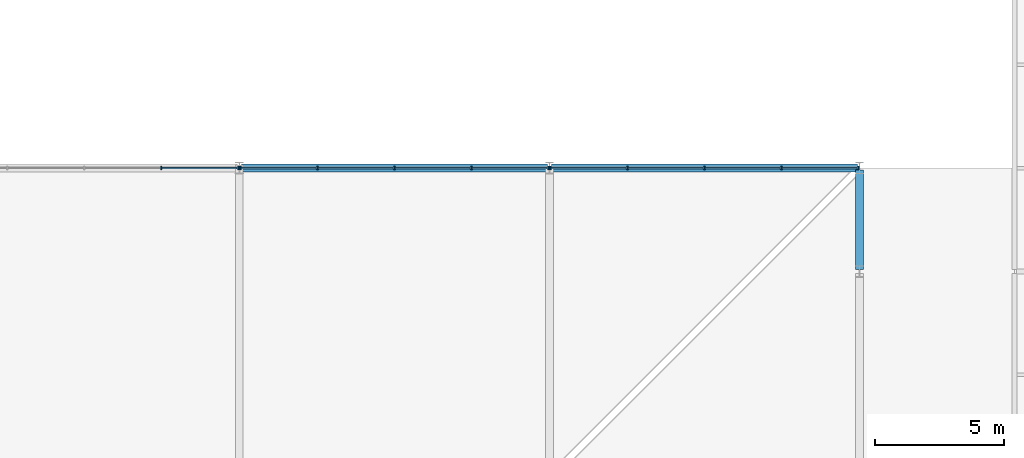
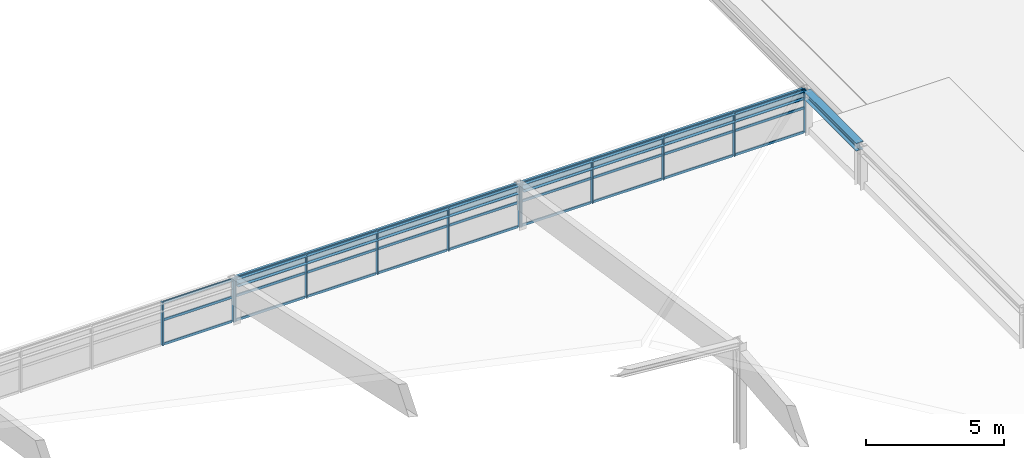
# One storey, part 72 of 80: 39 members, 3 beams, 3 elements without a shape of their own.
"""IFC4 building model written with IfcOpenShell, lengths in metres."""

from ifc_helpers import new_model, si_unit, direction, frame, origin, origin_2d, place, context, subcontext, project, spatial, rectangle, i_section, extrude, material, material_profile, profile_set, type_object, element, aggregate, save


model = new_model("IFC4")

# Units and contexts
model_context = context("Model", 3, precision=1e-05, world=origin(), true_north=direction((0.0, 1.0)))
body_context = subcontext(model_context, "Body", "Model", "MODEL_VIEW")
ifc_project = project(units=[si_unit("LENGTHUNIT", "METRE"), si_unit("AREAUNIT", "SQUARE_METRE"), si_unit("VOLUMEUNIT", "CUBIC_METRE"), si_unit("PLANEANGLEUNIT", "RADIAN"), si_unit("MASSUNIT", "GRAM", prefix="KILO"), si_unit("THERMODYNAMICTEMPERATUREUNIT", "KELVIN"), si_unit("POWERUNIT", "WATT")], contexts=[model_context])

# Site, building, storey
site_placement = place(None, origin())
site = spatial("IfcSite", under=ifc_project, at=site_placement, CompositionType="ELEMENT")
building_placement = place(site_placement, origin())
building = spatial("IfcBuilding", under=site, at=building_placement, Name="Solmara Park Aquatics Centre", CompositionType="ELEMENT")
storey_placement = place(building_placement, frame((0.0, 0.0, 22.800048828125)))
storey = spatial("IfcBuildingStorey", under=building, at=storey_placement, Name="RF", CompositionType="ELEMENT", Elevation=22.800048828125)

# Curtain wall, members
ifc_material_1 = material(Name="Anodised Aluminium Curtain Wall Framing", Category="aluminium")
curtain_wall_type = type_object("IfcCurtainWallType", Name="ARC-CW-SYS06", PredefinedType="USERDEFINED", material=ifc_material_1)
curtain_wall_1_placement = place(storey_placement, origin())
curtain_wall_1 = element("IfcCurtainWall", 1, at=curtain_wall_1_placement, inside=storey, type_object=curtain_wall_type, Name="Curtain Wall CW-086", ObjectType="CURTAIN WALL", PredefinedType="USERDEFINED")
ifc_material_2 = material(Name="Anodised Aluminium Alloy 6063-T6", Category="aluminium")
ifc_material_profile_1 = material_profile(ifc_material_2, rectangle(XDim=0.054931640625, YDim=0.139892578125, at=origin_2d()), Name="ALU MULLION 55x140")
ifc_profile_set_1 = profile_set([ifc_material_profile_1], Name="Anodised Aluminium Alloy 6063-T6")
member_type_1 = type_object("IfcMemberType", Name="ARC-CWM-55x140", PredefinedType="MULLION", material=ifc_profile_set_1)
member_1_placement = place(storey_placement, frame((128.97998046875, 52.60009765625, -8.400146484375), z_axis=(0.0, 0.0, 1.0), x_axis=(1.0, 0.0, 0.0)))
member_1 = element("IfcMember", 2, at=member_1_placement, type_object=member_type_1, Name="CW-086 mullion 4", PredefinedType="MULLION", context=body_context, shape_type="SweptSolid", body=[
    extrude(rectangle(XDim=0.054931640625, YDim=0.139892578125, at=origin_2d()), origin(), (0.0, 0.0, 1.0), 1.920166015625),
])
member_2_placement = place(storey_placement, frame((131.9599609375, 52.60009765625, -8.400146484375), z_axis=(0.0, 0.0, 1.0), x_axis=(1.0, 0.0, 0.0)))
member_2 = element("IfcMember", 3, at=member_2_placement, type_object=member_type_1, Name="CW-086 mullion 5", PredefinedType="MULLION", context=body_context, shape_type="SweptSolid", body=[
    extrude(rectangle(XDim=0.054931640625, YDim=0.139892578125, at=origin_2d()), origin(), (0.0, 0.0, 1.0), 1.920166015625),
])

curtain_wall_2_placement = place(storey_placement, origin())
curtain_wall_2 = element("IfcCurtainWall", 4, at=curtain_wall_2_placement, inside=storey, type_object=curtain_wall_type, Name="Curtain Wall CW-088", ObjectType="CURTAIN WALL", PredefinedType="USERDEFINED")
member_3_placement = place(storey_placement, frame((132.0400390625, 52.60009765625, -8.400146484375), z_axis=(0.0, 0.0, 1.0), x_axis=(1.0, 0.0, 0.0)))
member_3 = element("IfcMember", 5, at=member_3_placement, type_object=member_type_1, Name="CW-088 mullion 1", PredefinedType="MULLION", context=body_context, shape_type="SweptSolid", body=[
    extrude(rectangle(XDim=0.054931640625, YDim=0.139892578125, at=origin_2d()), origin(), (0.0, 0.0, 1.0), 1.920166015625),
])
member_4_placement = place(storey_placement, frame((135.02001953125, 52.60009765625, -8.400146484375), z_axis=(0.0, 0.0, 1.0), x_axis=(1.0, 0.0, 0.0)))
member_4 = element("IfcMember", 6, at=member_4_placement, type_object=member_type_1, Name="CW-088 mullion 2", PredefinedType="MULLION", context=body_context, shape_type="SweptSolid", body=[
    extrude(rectangle(XDim=0.054931640625, YDim=0.139892578125, at=origin_2d()), origin(), (0.0, 0.0, 1.0), 1.920166015625),
])
member_5_placement = place(storey_placement, frame((138.0, 52.60009765625, -8.400146484375), z_axis=(0.0, 0.0, 1.0), x_axis=(1.0, 0.0, 0.0)))
member_5 = element("IfcMember", 7, at=member_5_placement, type_object=member_type_1, Name="CW-088 mullion 3", PredefinedType="MULLION", context=body_context, shape_type="SweptSolid", body=[
    extrude(rectangle(XDim=0.054931640625, YDim=0.139892578125, at=origin_2d()), origin(), (0.0, 0.0, 1.0), 1.920166015625),
])
member_6_placement = place(storey_placement, frame((140.97998046875, 52.60009765625, -8.400146484375), z_axis=(0.0, 0.0, 1.0), x_axis=(1.0, 0.0, 0.0)))
member_6 = element("IfcMember", 8, at=member_6_placement, type_object=member_type_1, Name="CW-088 mullion 4", PredefinedType="MULLION", context=body_context, shape_type="SweptSolid", body=[
    extrude(rectangle(XDim=0.054931640625, YDim=0.139892578125, at=origin_2d()), origin(), (0.0, 0.0, 1.0), 1.920166015625),
])
member_7_placement = place(storey_placement, frame((143.9599609375, 52.60009765625, -8.400146484375), z_axis=(0.0, 0.0, 1.0), x_axis=(1.0, 0.0, 0.0)))
member_7 = element("IfcMember", 9, at=member_7_placement, type_object=member_type_1, Name="CW-088 mullion 5", PredefinedType="MULLION", context=body_context, shape_type="SweptSolid", body=[
    extrude(rectangle(XDim=0.054931640625, YDim=0.139892578125, at=origin_2d()), origin(), (0.0, 0.0, 1.0), 1.920166015625),
])

curtain_wall_3_placement = place(storey_placement, origin())
curtain_wall_3 = element("IfcCurtainWall", 10, at=curtain_wall_3_placement, inside=storey, type_object=curtain_wall_type, Name="Curtain Wall CW-090", ObjectType="CURTAIN WALL", PredefinedType="USERDEFINED")
member_8_placement = place(storey_placement, frame((144.0400390625, 52.60009765625, -8.400146484375), z_axis=(0.0, 0.0, 1.0), x_axis=(1.0, 0.0, 0.0)))
member_8 = element("IfcMember", 11, at=member_8_placement, type_object=member_type_1, Name="CW-090 mullion 1", PredefinedType="MULLION", context=body_context, shape_type="SweptSolid", body=[
    extrude(rectangle(XDim=0.054931640625, YDim=0.139892578125, at=origin_2d()), origin(), (0.0, 0.0, 1.0), 1.920166015625),
])
member_9_placement = place(storey_placement, frame((147.02001953125, 52.60009765625, -8.400146484375), z_axis=(0.0, 0.0, 1.0), x_axis=(1.0, 0.0, 0.0)))
member_9 = element("IfcMember", 12, at=member_9_placement, type_object=member_type_1, Name="CW-090 mullion 2", PredefinedType="MULLION", context=body_context, shape_type="SweptSolid", body=[
    extrude(rectangle(XDim=0.054931640625, YDim=0.139892578125, at=origin_2d()), origin(), (0.0, 0.0, 1.0), 1.920166015625),
])
member_10_placement = place(storey_placement, frame((150.0, 52.60009765625, -8.400146484375), z_axis=(0.0, 0.0, 1.0), x_axis=(1.0, 0.0, 0.0)))
member_10 = element("IfcMember", 13, at=member_10_placement, type_object=member_type_1, Name="CW-090 mullion 3", PredefinedType="MULLION", context=body_context, shape_type="SweptSolid", body=[
    extrude(rectangle(XDim=0.054931640625, YDim=0.139892578125, at=origin_2d()), origin(), (0.0, 0.0, 1.0), 1.920166015625),
])
member_11_placement = place(storey_placement, frame((152.97998046875, 52.60009765625, -8.400146484375), z_axis=(0.0, 0.0, 1.0), x_axis=(1.0, 0.0, 0.0)))
member_11 = element("IfcMember", 14, at=member_11_placement, type_object=member_type_1, Name="CW-090 mullion 4", PredefinedType="MULLION", context=body_context, shape_type="SweptSolid", body=[
    extrude(rectangle(XDim=0.054931640625, YDim=0.139892578125, at=origin_2d()), origin(), (0.0, 0.0, 1.0), 1.920166015625),
])
member_12_placement = place(storey_placement, frame((155.9599609375, 52.60009765625, -8.400146484375), z_axis=(0.0, 0.0, 1.0), x_axis=(1.0, 0.0, 0.0)))
member_12 = element("IfcMember", 15, at=member_12_placement, type_object=member_type_1, Name="CW-090 mullion 5", PredefinedType="MULLION", context=body_context, shape_type="SweptSolid", body=[
    extrude(rectangle(XDim=0.054931640625, YDim=0.139892578125, at=origin_2d()), origin(), (0.0, 0.0, 1.0), 1.920166015625),
])

# Member
ifc_material_profile_2 = material_profile(ifc_material_2, rectangle(XDim=0.054931640625, YDim=0.110107421875, at=origin_2d()), Name="ALU TRANSOM 55x110")
ifc_profile_set_2 = profile_set([ifc_material_profile_2], Name="Anodised Aluminium Alloy 6063-T6")
member_type_2 = type_object("IfcMemberType", Name="ARC-CWT-55x110", PredefinedType="USERDEFINED", material=ifc_profile_set_2)
member_13_placement = place(storey_placement, frame((129.0, 52.60009765625, -8.360107421875), z_axis=(1.0, 0.0, 0.0), x_axis=(0.0, 1.0, 0.0)))
member_13 = element("IfcMember", 16, at=member_13_placement, type_object=member_type_2, Name="CW-086 transom 10", ObjectType="TRANSOM", PredefinedType="USERDEFINED", context=body_context, shape_type="SweptSolid", body=[
    extrude(rectangle(XDim=0.054931640625, YDim=0.110107421875, at=origin_2d()), origin(), (0.0, 0.0, 1.0), 2.89990234375),
])

member_14_placement = place(storey_placement, frame((129.0, 52.60009765625, -7.286376953125), z_axis=(1.0, 0.0, 0.0), x_axis=(0.0, 1.0, 0.0)))
member_14 = element("IfcMember", 17, at=member_14_placement, type_object=member_type_2, Name="CW-086 transom 11", ObjectType="TRANSOM", PredefinedType="USERDEFINED", context=body_context, shape_type="SweptSolid", body=[
    extrude(rectangle(XDim=0.054931640625, YDim=0.110107421875, at=origin_2d()), origin(), (0.0, 0.0, 1.0), 2.89990234375),
])

member_15_placement = place(storey_placement, frame((129.0, 52.60009765625, -6.52001953125), z_axis=(1.0, 0.0, 0.0), x_axis=(0.0, 1.0, 0.0)))
member_15 = element("IfcMember", 18, at=member_15_placement, type_object=member_type_2, Name="CW-086 transom 12", ObjectType="TRANSOM", PredefinedType="USERDEFINED", context=body_context, shape_type="SweptSolid", body=[
    extrude(rectangle(XDim=0.054931640625, YDim=0.110107421875, at=origin_2d()), origin(), (0.0, 0.0, 1.0), 2.89990234375),
])

aggregate(curtain_wall_1, [member_1, member_2, member_13, member_14, member_15])

member_16_placement = place(storey_placement, frame((132.06005859375, 52.60009765625, -8.360107421875), z_axis=(1.0, 0.0, 0.0), x_axis=(0.0, 1.0, 0.0)))
member_16 = element("IfcMember", 19, at=member_16_placement, type_object=member_type_2, Name="CW-088 transom 1", ObjectType="TRANSOM", PredefinedType="USERDEFINED", context=body_context, shape_type="SweptSolid", body=[
    extrude(rectangle(XDim=0.054931640625, YDim=0.110107421875, at=origin_2d()), origin(), (0.0, 0.0, 1.0), 2.89990234375),
])

member_17_placement = place(storey_placement, frame((132.06005859375, 52.60009765625, -7.286376953125), z_axis=(1.0, 0.0, 0.0), x_axis=(0.0, 1.0, 0.0)))
member_17 = element("IfcMember", 20, at=member_17_placement, type_object=member_type_2, Name="CW-088 transom 2", ObjectType="TRANSOM", PredefinedType="USERDEFINED", context=body_context, shape_type="SweptSolid", body=[
    extrude(rectangle(XDim=0.054931640625, YDim=0.110107421875, at=origin_2d()), origin(), (0.0, 0.0, 1.0), 2.89990234375),
])

member_18_placement = place(storey_placement, frame((132.06005859375, 52.60009765625, -6.52001953125), z_axis=(1.0, 0.0, 0.0), x_axis=(0.0, 1.0, 0.0)))
member_18 = element("IfcMember", 21, at=member_18_placement, type_object=member_type_2, Name="CW-088 transom 3", ObjectType="TRANSOM", PredefinedType="USERDEFINED", context=body_context, shape_type="SweptSolid", body=[
    extrude(rectangle(XDim=0.054931640625, YDim=0.110107421875, at=origin_2d()), origin(), (0.0, 0.0, 1.0), 2.89990234375),
])

member_19_placement = place(storey_placement, frame((135.0400390625, 52.60009765625, -8.360107421875), z_axis=(1.0, 0.0, 0.0), x_axis=(0.0, 1.0, 0.0)))
member_19 = element("IfcMember", 22, at=member_19_placement, type_object=member_type_2, Name="CW-088 transom 4", ObjectType="TRANSOM", PredefinedType="USERDEFINED", context=body_context, shape_type="SweptSolid", body=[
    extrude(rectangle(XDim=0.054931640625, YDim=0.110107421875, at=origin_2d()), origin(), (0.0, 0.0, 1.0), 2.89990234375),
])

member_20_placement = place(storey_placement, frame((135.0400390625, 52.60009765625, -7.286376953125), z_axis=(1.0, 0.0, 0.0), x_axis=(0.0, 1.0, 0.0)))
member_20 = element("IfcMember", 23, at=member_20_placement, type_object=member_type_2, Name="CW-088 transom 5", ObjectType="TRANSOM", PredefinedType="USERDEFINED", context=body_context, shape_type="SweptSolid", body=[
    extrude(rectangle(XDim=0.054931640625, YDim=0.110107421875, at=origin_2d()), origin(), (0.0, 0.0, 1.0), 2.89990234375),
])

member_21_placement = place(storey_placement, frame((135.0400390625, 52.60009765625, -6.52001953125), z_axis=(1.0, 0.0, 0.0), x_axis=(0.0, 1.0, 0.0)))
member_21 = element("IfcMember", 24, at=member_21_placement, type_object=member_type_2, Name="CW-088 transom 6", ObjectType="TRANSOM", PredefinedType="USERDEFINED", context=body_context, shape_type="SweptSolid", body=[
    extrude(rectangle(XDim=0.054931640625, YDim=0.110107421875, at=origin_2d()), origin(), (0.0, 0.0, 1.0), 2.89990234375),
])

member_22_placement = place(storey_placement, frame((138.02001953125, 52.60009765625, -8.360107421875), z_axis=(1.0, 0.0, 0.0), x_axis=(0.0, 1.0, 0.0)))
member_22 = element("IfcMember", 25, at=member_22_placement, type_object=member_type_2, Name="CW-088 transom 7", ObjectType="TRANSOM", PredefinedType="USERDEFINED", context=body_context, shape_type="SweptSolid", body=[
    extrude(rectangle(XDim=0.054931640625, YDim=0.110107421875, at=origin_2d()), origin(), (0.0, 0.0, 1.0), 2.89990234375),
])

member_23_placement = place(storey_placement, frame((138.02001953125, 52.60009765625, -7.286376953125), z_axis=(1.0, 0.0, 0.0), x_axis=(0.0, 1.0, 0.0)))
member_23 = element("IfcMember", 26, at=member_23_placement, type_object=member_type_2, Name="CW-088 transom 8", ObjectType="TRANSOM", PredefinedType="USERDEFINED", context=body_context, shape_type="SweptSolid", body=[
    extrude(rectangle(XDim=0.054931640625, YDim=0.110107421875, at=origin_2d()), origin(), (0.0, 0.0, 1.0), 2.89990234375),
])

member_24_placement = place(storey_placement, frame((138.02001953125, 52.60009765625, -6.52001953125), z_axis=(1.0, 0.0, 0.0), x_axis=(0.0, 1.0, 0.0)))
member_24 = element("IfcMember", 27, at=member_24_placement, type_object=member_type_2, Name="CW-088 transom 9", ObjectType="TRANSOM", PredefinedType="USERDEFINED", context=body_context, shape_type="SweptSolid", body=[
    extrude(rectangle(XDim=0.054931640625, YDim=0.110107421875, at=origin_2d()), origin(), (0.0, 0.0, 1.0), 2.89990234375),
])

member_25_placement = place(storey_placement, frame((141.0, 52.60009765625, -8.360107421875), z_axis=(1.0, 0.0, 0.0), x_axis=(0.0, 1.0, 0.0)))
member_25 = element("IfcMember", 28, at=member_25_placement, type_object=member_type_2, Name="CW-088 transom 10", ObjectType="TRANSOM", PredefinedType="USERDEFINED", context=body_context, shape_type="SweptSolid", body=[
    extrude(rectangle(XDim=0.054931640625, YDim=0.110107421875, at=origin_2d()), origin(), (0.0, 0.0, 1.0), 2.89990234375),
])

member_26_placement = place(storey_placement, frame((141.0, 52.60009765625, -7.286376953125), z_axis=(1.0, 0.0, 0.0), x_axis=(0.0, 1.0, 0.0)))
member_26 = element("IfcMember", 29, at=member_26_placement, type_object=member_type_2, Name="CW-088 transom 11", ObjectType="TRANSOM", PredefinedType="USERDEFINED", context=body_context, shape_type="SweptSolid", body=[
    extrude(rectangle(XDim=0.054931640625, YDim=0.110107421875, at=origin_2d()), origin(), (0.0, 0.0, 1.0), 2.89990234375),
])

member_27_placement = place(storey_placement, frame((141.0, 52.60009765625, -6.52001953125), z_axis=(1.0, 0.0, 0.0), x_axis=(0.0, 1.0, 0.0)))
member_27 = element("IfcMember", 30, at=member_27_placement, type_object=member_type_2, Name="CW-088 transom 12", ObjectType="TRANSOM", PredefinedType="USERDEFINED", context=body_context, shape_type="SweptSolid", body=[
    extrude(rectangle(XDim=0.054931640625, YDim=0.110107421875, at=origin_2d()), origin(), (0.0, 0.0, 1.0), 2.89990234375),
])

aggregate(curtain_wall_2, [member_3, member_4, member_5, member_6, member_7, member_16, member_17, member_18, member_19, member_20, member_21, member_22, member_23, member_24, member_25, member_26, member_27])

member_28_placement = place(storey_placement, frame((144.06005859375, 52.60009765625, -8.360107421875), z_axis=(1.0, 0.0, 0.0), x_axis=(0.0, 1.0, 0.0)))
member_28 = element("IfcMember", 31, at=member_28_placement, type_object=member_type_2, Name="CW-090 transom 1", ObjectType="TRANSOM", PredefinedType="USERDEFINED", context=body_context, shape_type="SweptSolid", body=[
    extrude(rectangle(XDim=0.054931640625, YDim=0.110107421875, at=origin_2d()), origin(), (0.0, 0.0, 1.0), 2.89990234375),
])

member_29_placement = place(storey_placement, frame((144.06005859375, 52.60009765625, -7.286376953125), z_axis=(1.0, 0.0, 0.0), x_axis=(0.0, 1.0, 0.0)))
member_29 = element("IfcMember", 32, at=member_29_placement, type_object=member_type_2, Name="CW-090 transom 2", ObjectType="TRANSOM", PredefinedType="USERDEFINED", context=body_context, shape_type="SweptSolid", body=[
    extrude(rectangle(XDim=0.054931640625, YDim=0.110107421875, at=origin_2d()), origin(), (0.0, 0.0, 1.0), 2.89990234375),
])

member_30_placement = place(storey_placement, frame((144.06005859375, 52.60009765625, -6.52001953125), z_axis=(1.0, 0.0, 0.0), x_axis=(0.0, 1.0, 0.0)))
member_30 = element("IfcMember", 33, at=member_30_placement, type_object=member_type_2, Name="CW-090 transom 3", ObjectType="TRANSOM", PredefinedType="USERDEFINED", context=body_context, shape_type="SweptSolid", body=[
    extrude(rectangle(XDim=0.054931640625, YDim=0.110107421875, at=origin_2d()), origin(), (0.0, 0.0, 1.0), 2.89990234375),
])

member_31_placement = place(storey_placement, frame((147.0400390625, 52.60009765625, -8.360107421875), z_axis=(1.0, 0.0, 0.0), x_axis=(0.0, 1.0, 0.0)))
member_31 = element("IfcMember", 34, at=member_31_placement, type_object=member_type_2, Name="CW-090 transom 4", ObjectType="TRANSOM", PredefinedType="USERDEFINED", context=body_context, shape_type="SweptSolid", body=[
    extrude(rectangle(XDim=0.054931640625, YDim=0.110107421875, at=origin_2d()), origin(), (0.0, 0.0, 1.0), 2.89990234375),
])

member_32_placement = place(storey_placement, frame((147.0400390625, 52.60009765625, -7.286376953125), z_axis=(1.0, 0.0, 0.0), x_axis=(0.0, 1.0, 0.0)))
member_32 = element("IfcMember", 35, at=member_32_placement, type_object=member_type_2, Name="CW-090 transom 5", ObjectType="TRANSOM", PredefinedType="USERDEFINED", context=body_context, shape_type="SweptSolid", body=[
    extrude(rectangle(XDim=0.054931640625, YDim=0.110107421875, at=origin_2d()), origin(), (0.0, 0.0, 1.0), 2.89990234375),
])

member_33_placement = place(storey_placement, frame((147.0400390625, 52.60009765625, -6.52001953125), z_axis=(1.0, 0.0, 0.0), x_axis=(0.0, 1.0, 0.0)))
member_33 = element("IfcMember", 36, at=member_33_placement, type_object=member_type_2, Name="CW-090 transom 6", ObjectType="TRANSOM", PredefinedType="USERDEFINED", context=body_context, shape_type="SweptSolid", body=[
    extrude(rectangle(XDim=0.054931640625, YDim=0.110107421875, at=origin_2d()), origin(), (0.0, 0.0, 1.0), 2.89990234375),
])

member_34_placement = place(storey_placement, frame((150.02001953125, 52.60009765625, -8.360107421875), z_axis=(1.0, 0.0, 0.0), x_axis=(0.0, 1.0, 0.0)))
member_34 = element("IfcMember", 37, at=member_34_placement, type_object=member_type_2, Name="CW-090 transom 7", ObjectType="TRANSOM", PredefinedType="USERDEFINED", context=body_context, shape_type="SweptSolid", body=[
    extrude(rectangle(XDim=0.054931640625, YDim=0.110107421875, at=origin_2d()), origin(), (0.0, 0.0, 1.0), 2.89990234375),
])

member_35_placement = place(storey_placement, frame((150.02001953125, 52.60009765625, -7.286376953125), z_axis=(1.0, 0.0, 0.0), x_axis=(0.0, 1.0, 0.0)))
member_35 = element("IfcMember", 38, at=member_35_placement, type_object=member_type_2, Name="CW-090 transom 8", ObjectType="TRANSOM", PredefinedType="USERDEFINED", context=body_context, shape_type="SweptSolid", body=[
    extrude(rectangle(XDim=0.054931640625, YDim=0.110107421875, at=origin_2d()), origin(), (0.0, 0.0, 1.0), 2.89990234375),
])

member_36_placement = place(storey_placement, frame((150.02001953125, 52.60009765625, -6.52001953125), z_axis=(1.0, 0.0, 0.0), x_axis=(0.0, 1.0, 0.0)))
member_36 = element("IfcMember", 39, at=member_36_placement, type_object=member_type_2, Name="CW-090 transom 9", ObjectType="TRANSOM", PredefinedType="USERDEFINED", context=body_context, shape_type="SweptSolid", body=[
    extrude(rectangle(XDim=0.054931640625, YDim=0.110107421875, at=origin_2d()), origin(), (0.0, 0.0, 1.0), 2.89990234375),
])

member_37_placement = place(storey_placement, frame((153.0, 52.60009765625, -8.360107421875), z_axis=(1.0, 0.0, 0.0), x_axis=(0.0, 1.0, 0.0)))
member_37 = element("IfcMember", 40, at=member_37_placement, type_object=member_type_2, Name="CW-090 transom 10", ObjectType="TRANSOM", PredefinedType="USERDEFINED", context=body_context, shape_type="SweptSolid", body=[
    extrude(rectangle(XDim=0.054931640625, YDim=0.110107421875, at=origin_2d()), origin(), (0.0, 0.0, 1.0), 2.89990234375),
])

member_38_placement = place(storey_placement, frame((153.0, 52.60009765625, -7.286376953125), z_axis=(1.0, 0.0, 0.0), x_axis=(0.0, 1.0, 0.0)))
member_38 = element("IfcMember", 41, at=member_38_placement, type_object=member_type_2, Name="CW-090 transom 11", ObjectType="TRANSOM", PredefinedType="USERDEFINED", context=body_context, shape_type="SweptSolid", body=[
    extrude(rectangle(XDim=0.054931640625, YDim=0.110107421875, at=origin_2d()), origin(), (0.0, 0.0, 1.0), 2.89990234375),
])

member_39_placement = place(storey_placement, frame((153.0, 52.60009765625, -6.52001953125), z_axis=(1.0, 0.0, 0.0), x_axis=(0.0, 1.0, 0.0)))
member_39 = element("IfcMember", 42, at=member_39_placement, type_object=member_type_2, Name="CW-090 transom 12", ObjectType="TRANSOM", PredefinedType="USERDEFINED", context=body_context, shape_type="SweptSolid", body=[
    extrude(rectangle(XDim=0.054931640625, YDim=0.110107421875, at=origin_2d()), origin(), (0.0, 0.0, 1.0), 2.89990234375),
])

aggregate(curtain_wall_3, [member_8, member_9, member_10, member_11, member_12, member_28, member_29, member_30, member_31, member_32, member_33, member_34, member_35, member_36, member_37, member_38, member_39])

# Beams
ifc_material_3 = material(Name="Structural Steel S355", Category="steel")
ifc_material_profile_3 = material_profile(ifc_material_3, i_section(OverallWidth=0.300048828125, OverallDepth=0.35009765625, WebThickness=0.010009765625, FlangeThickness=0.017578125, FilletRadius=0.027099609375, at=origin_2d()), Name="HEA 360")
ifc_profile_set_3 = profile_set([ifc_material_profile_3], Name="Structural Steel S355")
beam_type = type_object("IfcBeamType", Name="STR-BM-HEA360", PredefinedType="BEAM", material=ifc_profile_set_3)
for number, where, z_axis, x_axis, name in (
    (43, (132.080078125, 52.60009765625, -6.66015625), (1.0, 0.0, 0.0), (0.0, 1.0, 0.0), "Diving Clerestory Ring Beam 132-52"),
    (44, (144.080078125, 52.60009765625, -6.66015625), (1.0, 0.0, 0.0), (0.0, 1.0, 0.0), "Diving Clerestory Ring Beam 144-52"),
):
    element("IfcBeam", number, at=place(storey_placement, frame(where, z_axis=z_axis, x_axis=x_axis)), inside=storey, type_object=beam_type, Name=name, PredefinedType="BEAM", context=body_context, shape_type="SweptSolid", body=[
        extrude(i_section(OverallWidth=0.300048828125, OverallDepth=0.35009765625, WebThickness=0.010009765625, FlangeThickness=0.017578125, FilletRadius=0.027099609375, at=origin_2d()), origin(), (0.0, 0.0, 1.0), 11.83984375),
    ])
beam_placement = place(storey_placement, frame((156.0, 48.679931640625, -6.66015625), z_axis=(0.0, 1.0, 0.0), x_axis=(-1.0, 0.0, 0.0)))
element("IfcBeam", 45, at=beam_placement, inside=storey, type_object=beam_type, Name="Diving Clerestory End Ring Beam 156-48", PredefinedType="BEAM", context=body_context, shape_type="SweptSolid", body=[
    extrude(i_section(OverallWidth=0.300048828125, OverallDepth=0.35009765625, WebThickness=0.010009765625, FlangeThickness=0.017578125, FilletRadius=0.027099609375, at=origin_2d()), origin(), (0.0, 0.0, 1.0), 3.840087890625),
])

save(model, "model.ifc")
